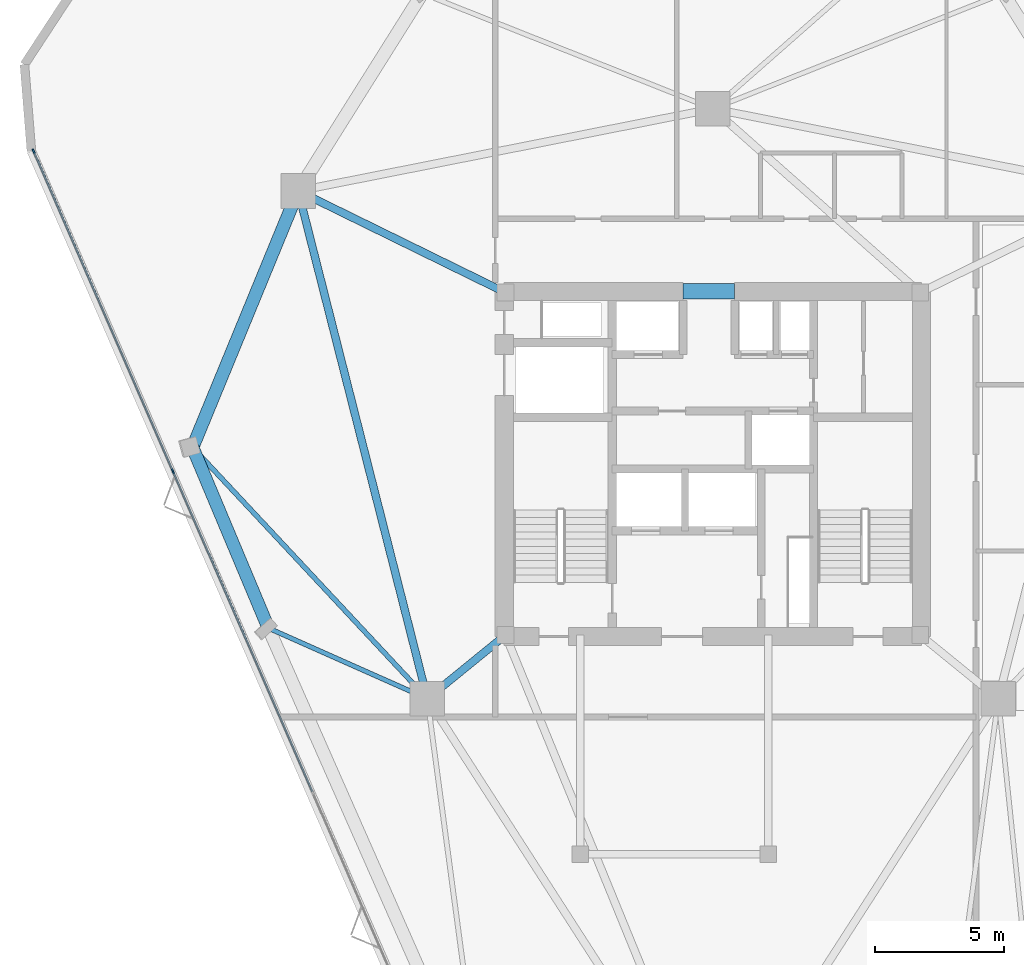
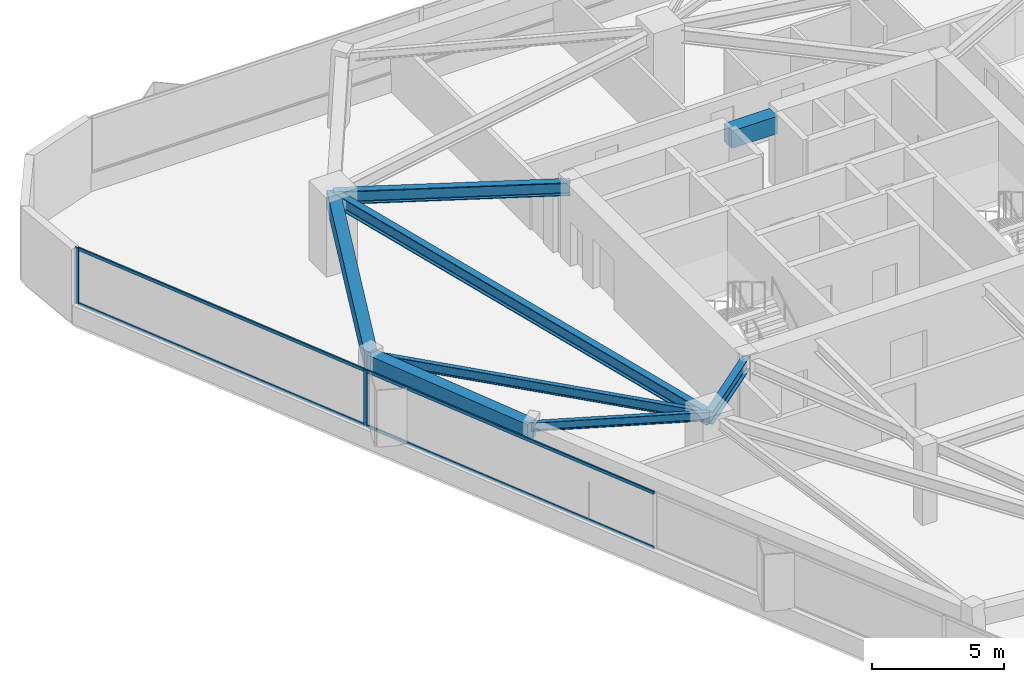
# One storey, part 5 of 12: 8 beams, 6 members, 1 element without a shape of its own.
"""IFC4 building model written with IfcOpenShell, lengths in metres."""

from ifc_helpers import new_model, si_unit, direction, frame, origin, origin_2d, place, context, subcontext, project, spatial, rectangle, i_section, extrude, material, layer, layer_set, material_profile, profile_set, type_object, element, aggregate, save


model = new_model("IFC4")

# Units and contexts
model_context = context("Model", 3, precision=1e-05, world=origin(), true_north=direction((0.0, 1.0)))
body_context = subcontext(model_context, "Body", "Model", "MODEL_VIEW")
ifc_project = project(units=[si_unit("LENGTHUNIT", "METRE"), si_unit("AREAUNIT", "SQUARE_METRE"), si_unit("VOLUMEUNIT", "CUBIC_METRE"), si_unit("PLANEANGLEUNIT", "RADIAN"), si_unit("MASSUNIT", "GRAM", prefix="KILO")], contexts=[model_context])

# Site, building, storey
site_placement = place(None, origin())
site = spatial("IfcSite", under=ifc_project, at=site_placement, CompositionType="ELEMENT")
building_placement = place(site_placement, origin())
building = spatial("IfcBuilding", under=site, at=building_placement, Name="Talyreon Biosciences Tower", CompositionType="ELEMENT")
storey_placement = place(building_placement, frame((0.0, 0.0, 179.39990234375)))
storey = spatial("IfcBuildingStorey", under=building, at=storey_placement, Name="L47", CompositionType="ELEMENT", Elevation=179.39990234375)

# Curtain wall, members
ifc_material_1 = material(Name="Thermally broken aluminium and low-E glazing", Category="aluminium")
ifc_layer = layer(ifc_material_1, 0.179931640625)
ifc_layer_set = layer_set([ifc_layer], Name="Thermally broken aluminium and low-E glazing")
curtain_wall_type = type_object("IfcCurtainWallType", Name="CurtainWall_Zone4Optical", PredefinedType="NOTDEFINED", material=ifc_layer_set)
curtain_wall_placement = place(storey_placement, origin())
curtain_wall = element("IfcCurtainWall", 1, at=curtain_wall_placement, inside=storey, type_object=curtain_wall_type, Name="L47 Unitised Curtain Wall FCW-L47-00", PredefinedType="NOTDEFINED")
ifc_material_2 = material(Name="Anodised thermally broken aluminium", Category="aluminium")
ifc_material_profile_1 = material_profile(ifc_material_2, rectangle(XDim=0.06494140625, YDim=0.179931640625, at=origin_2d()), Name="ALUM MULLION 65x180")
ifc_profile_set_1 = profile_set([ifc_material_profile_1], Name="Anodised thermally broken aluminium")
member_type_1 = type_object("IfcMemberType", Name="CWMullion_65x180", PredefinedType="MULLION", material=ifc_profile_set_1)
member_1_placement = place(storey_placement, frame((45.033447265625, 67.713623046875, 0.81005859375), z_axis=(0.0, 0.0, 1.0), x_axis=(-0.916912184291, -0.399089020519, 0.0)))
member_1 = element("IfcMember", 2, at=member_1_placement, type_object=member_type_1, Name="CW5 mullion 4", PredefinedType="MULLION", context=body_context, shape_type="SweptSolid", body=[
    extrude(rectangle(XDim=0.06494140625, YDim=0.179931640625, at=origin_2d()), origin(), (0.0, 0.0, 1.0), 2.590087890625),
])
member_2_placement = place(storey_placement, frame((39.622314453125, 80.145751953125, 0.81005859375), z_axis=(0.0, 0.0, 1.0), x_axis=(-0.916912184291, -0.399089020519, 0.0)))
member_2 = element("IfcMember", 3, at=member_2_placement, type_object=member_type_1, Name="CW5 mullion 5", PredefinedType="MULLION", context=body_context, shape_type="SweptSolid", body=[
    extrude(rectangle(XDim=0.06494140625, YDim=0.179931640625, at=origin_2d()), origin(), (0.0, 0.0, 1.0), 2.590087890625),
])
ifc_material_profile_2 = material_profile(ifc_material_2, rectangle(XDim=0.06494140625, YDim=0.139892578125, at=origin_2d()), Name="ALUM TRANSOM 65x140")
ifc_profile_set_2 = profile_set([ifc_material_profile_2], Name="Anodised thermally broken aluminium")
member_type_2 = type_object("IfcMemberType", Name="CWTransom_65x140", PredefinedType="USERDEFINED", material=ifc_profile_set_2)
member_3_placement = place(storey_placement, frame((50.4443359375, 55.28173828125, 0.842529296875), z_axis=(-0.399082487198, 0.916915027913, 0.0), x_axis=(-0.916915027913, -0.399082487198, 0.0)))
member_3 = element("IfcMember", 4, at=member_3_placement, type_object=member_type_2, Name="CW5 transom 3.1", ObjectType="TRANSOM", PredefinedType="USERDEFINED", context=body_context, shape_type="SweptSolid", body=[
    extrude(rectangle(XDim=0.06494140625, YDim=0.139892578125, at=origin_2d()), origin(), (0.0, 0.0, 1.0), 13.52587890625),
])
member_4_placement = place(storey_placement, frame((50.4443359375, 55.28173828125, 3.36767578125), z_axis=(-0.399082487198, 0.916915027913, 0.0), x_axis=(-0.916915027913, -0.399082487198, 0.0)))
member_4 = element("IfcMember", 5, at=member_4_placement, type_object=member_type_2, Name="CW5 transom 3.2", ObjectType="TRANSOM", PredefinedType="USERDEFINED", context=body_context, shape_type="SweptSolid", body=[
    extrude(rectangle(XDim=0.06494140625, YDim=0.139892578125, at=origin_2d()), origin(), (0.0, 0.0, 1.0), 13.52587890625),
])
member_5_placement = place(storey_placement, frame((45.020263671875, 67.743408203125, 0.842529296875), z_axis=(-0.399077385587, 0.916917248345, 0.0), x_axis=(-0.916917248345, -0.399077385587, 0.0)))
member_5 = element("IfcMember", 6, at=member_5_placement, type_object=member_type_2, Name="CW5 transom 4.1", ObjectType="TRANSOM", PredefinedType="USERDEFINED", context=body_context, shape_type="SweptSolid", body=[
    extrude(rectangle(XDim=0.06494140625, YDim=0.139892578125, at=origin_2d()), origin(), (0.0, 0.0, 1.0), 13.49365234375),
])
member_6_placement = place(storey_placement, frame((45.020263671875, 67.743408203125, 3.36767578125), z_axis=(-0.399077385587, 0.916917248345, 0.0), x_axis=(-0.916917248345, -0.399077385587, 0.0)))
member_6 = element("IfcMember", 7, at=member_6_placement, type_object=member_type_2, Name="CW5 transom 4.2", ObjectType="TRANSOM", PredefinedType="USERDEFINED", context=body_context, shape_type="SweptSolid", body=[
    extrude(rectangle(XDim=0.06494140625, YDim=0.139892578125, at=origin_2d()), origin(), (0.0, 0.0, 1.0), 13.49365234375),
])
aggregate(curtain_wall, [member_1, member_2, member_3, member_4, member_5, member_6])

# Beams
ifc_material_3 = material(Name="Concrete C50/60", Category="concrete")
ifc_material_profile_3 = material_profile(ifc_material_3, rectangle(XDim=0.60009765625, YDim=0.800048828125, at=origin_2d()), Name="RCB 600x800")
ifc_profile_set_3 = profile_set([ifc_material_profile_3], Name="Concrete C50/60")
beam_type_1 = type_object("IfcBeamType", Name="CoreCouplingLintel_600x800", PredefinedType="LINTEL", material=ifc_profile_set_3)
beam_1_placement = place(storey_placement, frame((64.85009765625, 74.699951171875, 3.0), z_axis=(1.0, 0.0, 0.0), x_axis=(0.0, 1.0, 0.0)))
element("IfcBeam", 8, at=beam_1_placement, inside=storey, type_object=beam_type_1, Name="L47 Core Coupling Lintel", PredefinedType="LINTEL", context=body_context, shape_type="SweptSolid", body=[
    extrude(rectangle(XDim=0.60009765625, YDim=0.800048828125, at=origin_2d()), origin(), (0.0, 0.0, 1.0), 2.0),
])
ifc_material_4 = material(Name="Precast concrete C45/55", Category="concrete")
ifc_material_profile_4 = material_profile(ifc_material_4, rectangle(XDim=0.5, YDim=0.780029296875, at=origin_2d()), Name="RCB 500x780")
ifc_profile_set_4 = profile_set([ifc_material_profile_4], Name="Precast concrete C45/55")
beam_type_2 = type_object("IfcBeamType", Name="ExpressedSpandrel_500x780", PredefinedType="SPANDREL", material=ifc_profile_set_4)
beam_2_placement = place(storey_placement, frame((49.897705078125, 78.5986328125, 3.010009765625), z_axis=(-0.380700781205, -0.924698283328, 0.0), x_axis=(0.924698283328, -0.380700781205, 0.0)))
element("IfcBeam", 9, at=beam_2_placement, inside=storey, type_object=beam_type_2, Name="L47 Expressed Horizontal Concrete Spandrel 09", PredefinedType="SPANDREL", context=body_context, shape_type="SweptSolid", body=[
    extrude(rectangle(XDim=0.5, YDim=0.780029296875, at=origin_2d()), origin(), (0.0, 0.0, 1.0), 10.7705078125),
])
beam_3_placement = place(storey_placement, frame((45.79736328125, 68.63916015625, 3.010009765625), z_axis=(0.387009991532, -0.922075521015, 0.0), x_axis=(0.922075521015, 0.387009991532, 0.0)))
element("IfcBeam", 10, at=beam_3_placement, inside=storey, type_object=beam_type_2, Name="L47 Expressed Horizontal Concrete Spandrel 10", PredefinedType="SPANDREL", context=body_context, shape_type="SweptSolid", body=[
    extrude(rectangle(XDim=0.5, YDim=0.780029296875, at=origin_2d()), origin(), (0.0, 0.0, 1.0), 7.611572265625),
])
ifc_material_5 = material(Name="Steel SM355", Category="steel")
ifc_material_profile_5 = material_profile(ifc_material_5, i_section(OverallWidth=0.300048828125, OverallDepth=0.60009765625, WebThickness=0.015380859375, FlangeThickness=0.030029296875, FilletRadius=0.027099609375, at=origin_2d()), Name="HE600B")
ifc_profile_set_5 = profile_set([ifc_material_profile_5], Name="Steel SM355")
beam_type_3 = type_object("IfcBeamType", Name="SteelBeam_HE600B", PredefinedType="BEAM", material=ifc_profile_set_5)
beam_4_placement = place(storey_placement, frame((49.897705078125, 78.5986328125, 3.10009765625), z_axis=(0.246537082299, -0.969133358755, 0.0), x_axis=(0.969133358755, 0.246537082299, 0.0)))
element("IfcBeam", 11, at=beam_4_placement, inside=storey, type_object=beam_type_3, Name="L47 Mega-Ring Girder 5", PredefinedType="BEAM", context=body_context, shape_type="SweptSolid", body=[
    extrude(i_section(OverallWidth=0.300048828125, OverallDepth=0.60009765625, WebThickness=0.015380859375, FlangeThickness=0.030029296875, FilletRadius=0.027099609375, at=origin_2d()), origin(), (0.0, 0.0, 1.0), 20.34619140625),
])
beam_5_placement = place(storey_placement, frame((57.949951171875, 74.64990234375, 3.10009765625), z_axis=(-0.897852360314, 0.440296648952, 0.0), x_axis=(-0.440296648952, -0.897852360314, 0.0)))
element("IfcBeam", 12, at=beam_5_placement, inside=storey, type_object=beam_type_3, Name="L47 Radial Primary Girder 5", PredefinedType="BEAM", context=body_context, shape_type="SweptSolid", body=[
    extrude(i_section(OverallWidth=0.300048828125, OverallDepth=0.60009765625, WebThickness=0.015380859375, FlangeThickness=0.030029296875, FilletRadius=0.027099609375, at=origin_2d()), origin(), (0.0, 0.0, 1.0), 8.96826171875),
])
beam_6_placement = place(storey_placement, frame((57.949951171875, 61.35009765625, 3.10009765625), z_axis=(-0.775755154013, -0.631034025249, 0.0), x_axis=(0.631034025249, -0.775755154013, 0.0)))
element("IfcBeam", 13, at=beam_6_placement, inside=storey, type_object=beam_type_3, Name="L47 Radial Primary Girder 6", PredefinedType="BEAM", context=body_context, shape_type="SweptSolid", body=[
    extrude(i_section(OverallWidth=0.300048828125, OverallDepth=0.60009765625, WebThickness=0.015380859375, FlangeThickness=0.030029296875, FilletRadius=0.027099609375, at=origin_2d()), origin(), (0.0, 0.0, 1.0), 3.913818359375),
])
ifc_material_profile_6 = material_profile(ifc_material_5, i_section(OverallWidth=0.179931640625, OverallDepth=0.39990234375, WebThickness=0.008544921875, FlangeThickness=0.013427734375, FilletRadius=0.02099609375, at=origin_2d()), Name="IPE400")
ifc_profile_set_6 = profile_set([ifc_material_profile_6], Name="Steel SM355")
beam_type_4 = type_object("IfcBeamType", Name="SteelJoist_IPE400", PredefinedType="JOIST", material=ifc_profile_set_6)
beam_7_placement = place(storey_placement, frame((54.913818359375, 58.88037109375, 3.2001953125), z_axis=(-0.913936759428, 0.405856624642, 0.0), x_axis=(-0.405856624642, -0.913936759428, 0.0)))
element("IfcBeam", 14, at=beam_7_placement, inside=storey, type_object=beam_type_4, Name="L47 Radial Composite Floor Joist PL-SW", PredefinedType="JOIST", context=body_context, shape_type="SweptSolid", body=[
    extrude(i_section(OverallWidth=0.179931640625, OverallDepth=0.39990234375, WebThickness=0.008544921875, FlangeThickness=0.013427734375, FilletRadius=0.02099609375, at=origin_2d()), origin(), (0.0, 0.0, 1.0), 6.751708984375),
])
ifc_material_profile_7 = material_profile(ifc_material_5, i_section(OverallWidth=0.18994140625, OverallDepth=0.449951171875, WebThickness=0.009521484375, FlangeThickness=0.0146484375, FilletRadius=0.02099609375, at=origin_2d()), Name="IPE450")
ifc_profile_set_7 = profile_set([ifc_material_profile_7], Name="Steel SM355")
beam_type_5 = type_object("IfcBeamType", Name="SteelJoist_IPE450", PredefinedType="JOIST", material=ifc_profile_set_7)
beam_8_placement = place(storey_placement, frame((54.913818359375, 58.88037109375, 3.175048828125), z_axis=(-0.682648419673, 0.730746970653, 0.0), x_axis=(-0.730746970653, -0.682648419673, 0.0)))
element("IfcBeam", 15, at=beam_8_placement, inside=storey, type_object=beam_type_5, Name="L47 Radial Composite Floor Joist PC-SW1", PredefinedType="JOIST", context=body_context, shape_type="SweptSolid", body=[
    extrude(i_section(OverallWidth=0.18994140625, OverallDepth=0.449951171875, WebThickness=0.009521484375, FlangeThickness=0.0146484375, FilletRadius=0.02099609375, at=origin_2d()), origin(), (0.0, 0.0, 1.0), 13.3544921875),
])

save(model, "model.ifc")
